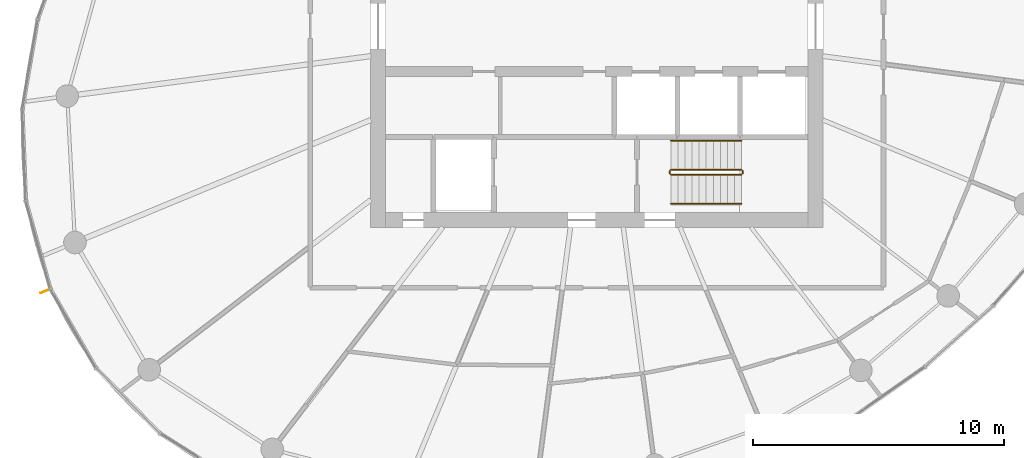
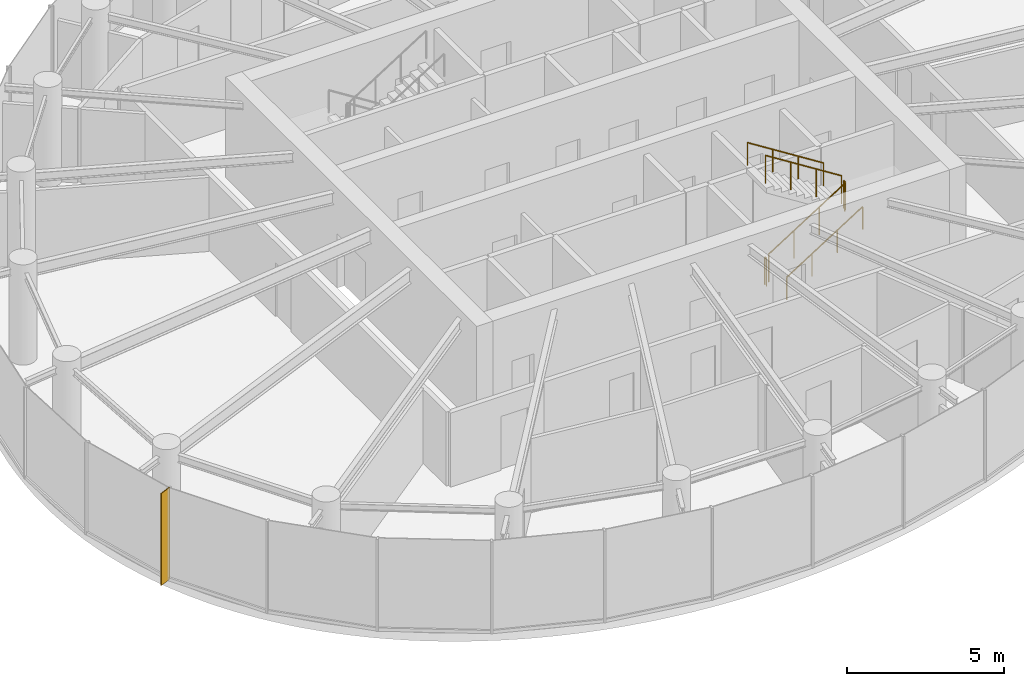
# One storey, part 13 of 14: 6 railings, 1 shading device.
"""IFC4 building model written with IfcOpenShell, lengths in metres."""

from ifc_helpers import new_model, si_unit, direction, frame, origin, origin_2d, place, context, subcontext, project, spatial, rectangle, circle, extrude, source, transform, mapped, material, material_profile, profile_set, type_object, element, save


model = new_model("IFC4")

# Units and contexts
model_context = context("Model", 3, precision=1e-05, world=origin(), true_north=direction((0.0, 1.0)))
body_context = subcontext(model_context, "Body", "Model", "MODEL_VIEW")
ifc_project = project(units=[si_unit("LENGTHUNIT", "METRE"), si_unit("AREAUNIT", "SQUARE_METRE"), si_unit("VOLUMEUNIT", "CUBIC_METRE"), si_unit("PLANEANGLEUNIT", "RADIAN"), si_unit("MASSUNIT", "GRAM", prefix="KILO")], contexts=[model_context])

# Site, building, storey
site_placement = place(None, origin())
site = spatial("IfcSite", under=ifc_project, at=site_placement, CompositionType="ELEMENT")
building_placement = place(site_placement, origin())
building = spatial("IfcBuilding", under=site, at=building_placement, Name="Spindrift Exchange Tower", CompositionType="ELEMENT")
storey_placement = place(building_placement, frame((0.0, 0.0, 215.0)))
storey = spatial("IfcBuildingStorey", under=building, at=storey_placement, Name="L52", CompositionType="ELEMENT", Elevation=215.0)

# Railings
ifc_material_1 = material(Name="Steel balustrade", Category="steel")
railing_type_1 = type_object("IfcRailingType", Name="RL-STAIR-GUARD", PredefinedType="GUARDRAIL", material=ifc_material_1)
railing_1_placement = place(storey_placement, frame((54.949951171875, 42.10009765625, 0.17724609375)))
element("IfcRailing", 1, at=railing_1_placement, inside=storey, type_object=railing_type_1, Name="L52 ST2 stair guard 1", PredefinedType="GUARDRAIL", context=body_context, shape_type="SweptSolid", body=[
    extrude(circle(Radius=0.02392578125, at=origin_2d()), frame((0.0, 0.0, 1.076171875), z_axis=(0.844908973607, 0.0, 0.534910110503), x_axis=(0.0, 1.0, 0.0)), (0.0, 0.0, 1.0), 3.31396484375),
    extrude(circle(Radius=0.02099609375, at=origin_2d()), origin(), (0.0, 0.0, 1.0), 1.052001953125),
    extrude(circle(Radius=0.02099609375, at=origin_2d()), frame((0.933349609375, 0.0, 0.5908203125)), (0.0, 0.0, 1.0), 1.052001953125),
    extrude(circle(Radius=0.02099609375, at=origin_2d()), frame((1.86669921875, 0.0, 1.181884765625)), (0.0, 0.0, 1.0), 1.052001953125),
    extrude(circle(Radius=0.02099609375, at=origin_2d()), frame((2.800048828125, 0.0, 1.772705078125)), (0.0, 0.0, 1.0), 1.052001953125),
])
railing_2_placement = place(storey_placement, frame((57.800048828125, 42.14990234375, 1.949951171875)))
element("IfcRailing", 2, at=railing_2_placement, inside=storey, type_object=railing_type_1, Name="L52 ST2 stair guard 2", PredefinedType="GUARDRAIL", context=body_context, shape_type="SweptSolid", body=[
    extrude(circle(Radius=0.02392578125, at=origin_2d()), frame((0.0, 0.0, 1.076171875), z_axis=(0.0, 1.0, 0.0), x_axis=(-1.0, 0.0, 0.0)), (0.0, 0.0, 1.0), 0.10009765625),
    extrude(circle(Radius=0.02099609375, at=origin_2d()), origin(), (0.0, 0.0, 1.0), 1.052001953125),
    extrude(circle(Radius=0.02099609375, at=origin_2d()), frame((0.0, 0.10009765625, 0.0)), (0.0, 0.0, 1.0), 1.052001953125),
])
railing_3_placement = place(storey_placement, frame((57.75, 42.300048828125, 2.127197265625)))
element("IfcRailing", 3, at=railing_3_placement, inside=storey, type_object=railing_type_1, Name="L52 ST2 stair guard 3", PredefinedType="GUARDRAIL", context=body_context, shape_type="SweptSolid", body=[
    extrude(circle(Radius=0.02392578125, at=origin_2d()), frame((0.0, 0.0, 1.076171875), z_axis=(-0.844908973607, 0.0, 0.534910110503), x_axis=(0.0, -1.0, 0.0)), (0.0, 0.0, 1.0), 3.31396484375),
    extrude(circle(Radius=0.02099609375, at=origin_2d()), origin(), (0.0, 0.0, 1.0), 1.052001953125),
    extrude(circle(Radius=0.02099609375, at=origin_2d()), frame((-0.933349609375, 0.0, 0.5908203125)), (0.0, 0.0, 1.0), 1.052001953125),
    extrude(circle(Radius=0.02099609375, at=origin_2d()), frame((-1.86669921875, 0.0, 1.181884765625)), (0.0, 0.0, 1.0), 1.052001953125),
    extrude(circle(Radius=0.02099609375, at=origin_2d()), frame((-2.800048828125, 0.0, 1.772705078125)), (0.0, 0.0, 1.0), 1.052001953125),
])
railing_4_placement = place(storey_placement, frame((54.89990234375, 42.14990234375, 0.0)))
element("IfcRailing", 4, at=railing_4_placement, inside=storey, type_object=railing_type_1, Name="L52 ST2 stair guard 4", PredefinedType="GUARDRAIL", context=body_context, shape_type="SweptSolid", body=[
    extrude(circle(Radius=0.02392578125, at=origin_2d()), frame((0.0, 0.0, 1.076171875), z_axis=(0.0, 1.0, 0.0), x_axis=(-1.0, 0.0, 0.0)), (0.0, 0.0, 1.0), 0.10009765625),
    extrude(circle(Radius=0.02099609375, at=origin_2d()), origin(), (0.0, 0.0, 1.0), 1.052001953125),
    extrude(circle(Radius=0.02099609375, at=origin_2d()), frame((0.0, 0.10009765625, 0.0)), (0.0, 0.0, 1.0), 1.052001953125),
])
ifc_material_2 = material(Name="Steel tubular handrail", Category="steel")
railing_type_2 = type_object("IfcRailingType", Name="RL-STAIR-HAND", PredefinedType="HANDRAIL", material=ifc_material_2)
railing_5_placement = place(storey_placement, frame((54.949951171875, 40.949951171875, 0.17724609375)))
element("IfcRailing", 5, at=railing_5_placement, inside=storey, type_object=railing_type_2, Name="L52 ST2 stair handrail 1", PredefinedType="HANDRAIL", context=body_context, shape_type="SweptSolid", body=[
    extrude(circle(Radius=0.02392578125, at=origin_2d()), frame((0.0, 0.0, 0.8759765625), z_axis=(0.844908973607, 0.0, 0.534910110503), x_axis=(0.0, 1.0, 0.0)), (0.0, 0.0, 1.0), 3.31396484375),
    extrude(circle(Radius=0.02099609375, at=origin_2d()), origin(), (0.0, 0.0, 1.0), 0.851806640625),
    extrude(circle(Radius=0.02099609375, at=origin_2d()), frame((0.933349609375, 0.0, 0.5908203125)), (0.0, 0.0, 1.0), 0.851806640625),
    extrude(circle(Radius=0.02099609375, at=origin_2d()), frame((1.86669921875, 0.0, 1.181884765625)), (0.0, 0.0, 1.0), 0.851806640625),
    extrude(circle(Radius=0.02099609375, at=origin_2d()), frame((2.800048828125, 0.0, 1.772705078125)), (0.0, 0.0, 1.0), 0.851806640625),
])
railing_6_placement = place(storey_placement, frame((57.75, 43.449951171875, 2.127197265625)))
element("IfcRailing", 6, at=railing_6_placement, inside=storey, type_object=railing_type_2, Name="L52 ST2 stair handrail 2", PredefinedType="HANDRAIL", context=body_context, shape_type="SweptSolid", body=[
    extrude(circle(Radius=0.02392578125, at=origin_2d()), frame((0.0, 0.0, 0.8759765625), z_axis=(-0.844908973607, 0.0, 0.534910110503), x_axis=(0.0, -1.0, 0.0)), (0.0, 0.0, 1.0), 3.31396484375),
    extrude(circle(Radius=0.02099609375, at=origin_2d()), origin(), (0.0, 0.0, 1.0), 0.851806640625),
    extrude(circle(Radius=0.02099609375, at=origin_2d()), frame((-0.933349609375, 0.0, 0.5908203125)), (0.0, 0.0, 1.0), 0.851806640625),
    extrude(circle(Radius=0.02099609375, at=origin_2d()), frame((-1.86669921875, 0.0, 1.181884765625)), (0.0, 0.0, 1.0), 0.851806640625),
    extrude(circle(Radius=0.02099609375, at=origin_2d()), frame((-2.800048828125, 0.0, 1.772705078125)), (0.0, 0.0, 1.0), 0.851806640625),
])

# Shading device
ifc_material_3 = material(Name="Bronze anodised aluminium", Category="aluminium")
ifc_material_profile = material_profile(ifc_material_3, rectangle(XDim=0.030029296875, YDim=0.449951171875, at=origin_2d()), Name="WIND FIN 30X450")
ifc_profile_set = profile_set([ifc_material_profile], Name="Bronze anodised aluminium")
shading_device_type = type_object("IfcShadingDeviceType", Name="WIND FIN 30X450", PredefinedType="USERDEFINED", material=ifc_profile_set)
shared_shape = source(origin(), body_context, "Body", "SweptSolid", [
    extrude(rectangle(XDim=0.030029296875, YDim=0.449951171875, at=origin_2d()), origin(), (0.0, 0.0, 1.0), 3.580078125),
])
shading_device_placement = place(storey_placement, frame((30.086181640625, 37.47998046875, 0.0), z_axis=(0.0, 0.0, 1.0), x_axis=(0.387538111703, -0.921853682521, 0.0)))
element("IfcShadingDevice", 7, at=shading_device_placement, inside=storey, type_object=shading_device_type, Name="L52 wind fin 1", ObjectType="FIN", PredefinedType="USERDEFINED", context=body_context, shape_type="MappedRepresentation", body=[
    mapped(shared_shape, transform((0.0, 0.0, 0.0), scale=1.0)),
])

save(model, "model.ifc")
